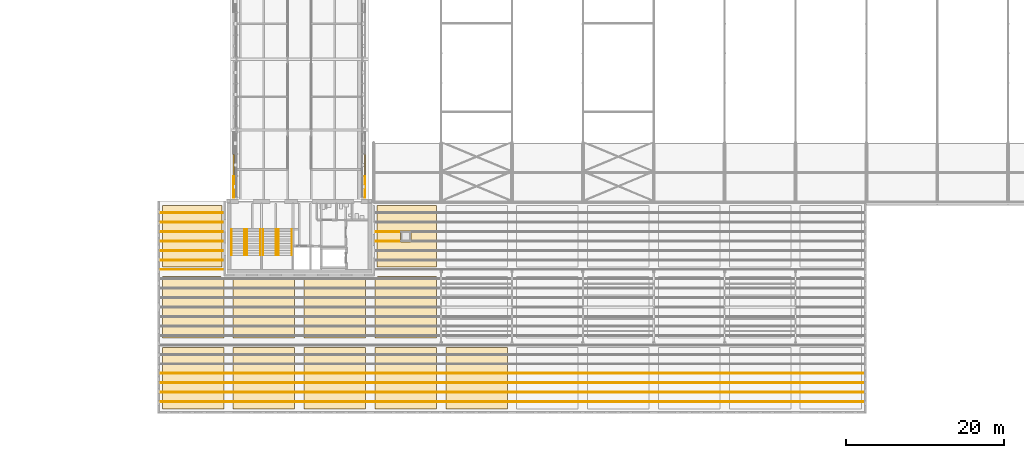
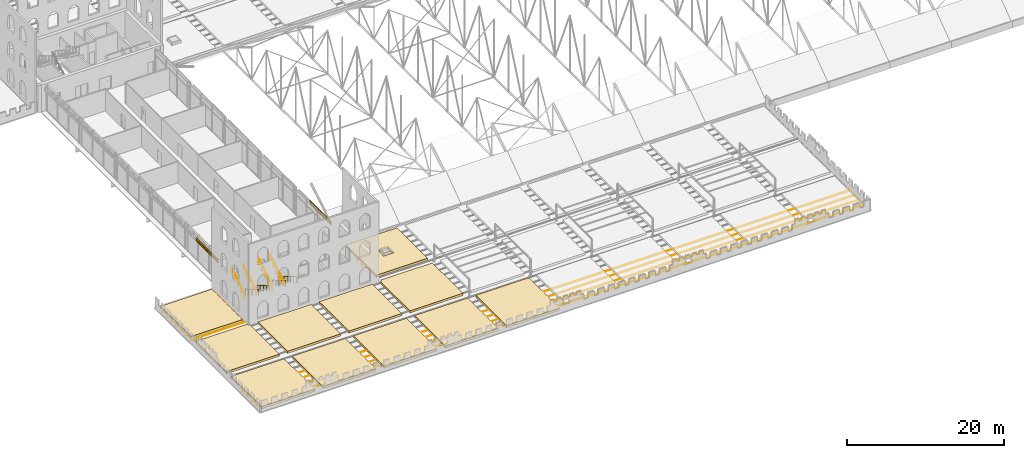
# One storey, part 137 of 153: 24 coverings, 8 railings, 4 shading devices.
"""IFC4 building model written with IfcOpenShell, lengths in metres."""

from ifc_helpers import new_model, si_unit, direction, frame, origin, origin_2d, place, context, subcontext, project, spatial, polyline, circle, outline, extrude, material, layer, layer_set, type_object, element, save


model = new_model("IFC4")

# Units and contexts
model_context = context("Model", 3, precision=1e-05, world=origin(), true_north=direction((0.0, 1.0)))
body_context = subcontext(model_context, "Body", "Model", "MODEL_VIEW")
ifc_project = project(units=[si_unit("LENGTHUNIT", "METRE"), si_unit("AREAUNIT", "SQUARE_METRE"), si_unit("VOLUMEUNIT", "CUBIC_METRE"), si_unit("PLANEANGLEUNIT", "RADIAN"), si_unit("MASSUNIT", "GRAM", prefix="KILO")], contexts=[model_context])

# Site, building, storey
site_placement = place(None, origin())
site = spatial("IfcSite", under=ifc_project, at=site_placement, CompositionType="ELEMENT")
building_placement = place(site_placement, origin())
building = spatial("IfcBuilding", under=site, at=building_placement, Name="Baradari Gate Terminus", CompositionType="ELEMENT")
storey_placement = place(building_placement, frame((0.0, 0.0, 11.699951171875)))
storey = spatial("IfcBuildingStorey", under=building, at=storey_placement, Name="L02", CompositionType="ELEMENT", Elevation=11.699951171875)

# Railings
ifc_material_1 = material(Name="Stainless steel 1.4301", Category="steel")
railing_type = type_object("IfcRailingType", Name="Handrail HR-1 900", PredefinedType="HANDRAIL", material=ifc_material_1)
for number, where, name in (
    (1, (76.0400390625, 32.39990234375, 0.175048828125), "Handrail ST-GS1 L02 flight 1"),
    (2, (74.360107421875, 32.39990234375, 0.175048828125), "Handrail ST-GS1 L02 flight 1"),
):
    element("IfcRailing", number, at=place(storey_placement, frame(where)), inside=storey, type_object=railing_type, Name=name, PredefinedType="HANDRAIL", context=body_context, shape_type="SweptSolid", body=[
        extrude(circle(Radius=0.02392578125, at=origin_2d()), frame((0.0, 0.0, 0.8759765625), z_axis=(0.0, -0.863760357493, 0.503902812876), x_axis=(1.0, 0.0, 0.0)), (0.0, 0.0, 1.0), 3.8203125),
        extrude(circle(Radius=0.02099609375, at=origin_2d()), origin(), (0.0, 0.0, 1.0), 0.851806640625),
        extrude(circle(Radius=0.02099609375, at=origin_2d()), frame((0.0, -0.824951171875, 0.481201171875)), (0.0, 0.0, 1.0), 0.851806640625),
        extrude(circle(Radius=0.02099609375, at=origin_2d()), frame((0.0, -1.64990234375, 0.96240234375)), (0.0, 0.0, 1.0), 0.851806640625),
        extrude(circle(Radius=0.02099609375, at=origin_2d()), frame((0.0, -2.474853515625, 1.44384765625)), (0.0, 0.0, 1.0), 0.851806640625),
        extrude(circle(Radius=0.02099609375, at=origin_2d()), frame((0.0, -3.2998046875, 1.925048828125)), (0.0, 0.0, 1.0), 0.851806640625),
    ])
for number, where, name in (
    (3, (74.0400390625, 29.10009765625, 2.275146484375), "Handrail ST-GS1 L02 flight 2"),
    (4, (72.360107421875, 29.10009765625, 2.275146484375), "Handrail ST-GS1 L02 flight 2"),
):
    element("IfcRailing", number, at=place(storey_placement, frame(where)), inside=storey, type_object=railing_type, Name=name, PredefinedType="HANDRAIL", context=body_context, shape_type="SweptSolid", body=[
        extrude(circle(Radius=0.02392578125, at=origin_2d()), frame((0.0, 0.0, 0.8759765625), z_axis=(0.0, 0.863788172461, 0.503855131081), x_axis=(-1.0, 0.0, 0.0)), (0.0, 0.0, 1.0), 3.820068359375),
        extrude(circle(Radius=0.02099609375, at=origin_2d()), origin(), (0.0, 0.0, 1.0), 0.851806640625),
        extrude(circle(Radius=0.02099609375, at=origin_2d()), frame((0.0, 0.824951171875, 0.481201171875)), (0.0, 0.0, 1.0), 0.851806640625),
        extrude(circle(Radius=0.02099609375, at=origin_2d()), frame((0.0, 1.64990234375, 0.96240234375)), (0.0, 0.0, 1.0), 0.851806640625),
        extrude(circle(Radius=0.02099609375, at=origin_2d()), frame((0.0, 2.474853515625, 1.443603515625)), (0.0, 0.0, 1.0), 0.851806640625),
        extrude(circle(Radius=0.02099609375, at=origin_2d()), frame((0.0, 3.2998046875, 1.9248046875)), (0.0, 0.0, 1.0), 0.851806640625),
    ])
for number, where, name in (
    (5, (80.0400390625, 32.39990234375, 0.175048828125), "Handrail ST-GS2 L02 flight 1"),
    (6, (78.360107421875, 32.39990234375, 0.175048828125), "Handrail ST-GS2 L02 flight 1"),
):
    element("IfcRailing", number, at=place(storey_placement, frame(where)), inside=storey, type_object=railing_type, Name=name, PredefinedType="HANDRAIL", context=body_context, shape_type="SweptSolid", body=[
        extrude(circle(Radius=0.02392578125, at=origin_2d()), frame((0.0, 0.0, 0.8759765625), z_axis=(0.0, -0.863760357493, 0.503902812876), x_axis=(1.0, 0.0, 0.0)), (0.0, 0.0, 1.0), 3.8203125),
        extrude(circle(Radius=0.02099609375, at=origin_2d()), origin(), (0.0, 0.0, 1.0), 0.851806640625),
        extrude(circle(Radius=0.02099609375, at=origin_2d()), frame((0.0, -0.824951171875, 0.481201171875)), (0.0, 0.0, 1.0), 0.851806640625),
        extrude(circle(Radius=0.02099609375, at=origin_2d()), frame((0.0, -1.64990234375, 0.96240234375)), (0.0, 0.0, 1.0), 0.851806640625),
        extrude(circle(Radius=0.02099609375, at=origin_2d()), frame((0.0, -2.474853515625, 1.44384765625)), (0.0, 0.0, 1.0), 0.851806640625),
        extrude(circle(Radius=0.02099609375, at=origin_2d()), frame((0.0, -3.2998046875, 1.925048828125)), (0.0, 0.0, 1.0), 0.851806640625),
    ])
for number, where, name in (
    (7, (78.0400390625, 29.10009765625, 2.275146484375), "Handrail ST-GS2 L02 flight 2"),
    (8, (76.360107421875, 29.10009765625, 2.275146484375), "Handrail ST-GS2 L02 flight 2"),
):
    element("IfcRailing", number, at=place(storey_placement, frame(where)), inside=storey, type_object=railing_type, Name=name, PredefinedType="HANDRAIL", context=body_context, shape_type="SweptSolid", body=[
        extrude(circle(Radius=0.02392578125, at=origin_2d()), frame((0.0, 0.0, 0.8759765625), z_axis=(0.0, 0.863788172461, 0.503855131081), x_axis=(-1.0, 0.0, 0.0)), (0.0, 0.0, 1.0), 3.820068359375),
        extrude(circle(Radius=0.02099609375, at=origin_2d()), origin(), (0.0, 0.0, 1.0), 0.851806640625),
        extrude(circle(Radius=0.02099609375, at=origin_2d()), frame((0.0, 0.824951171875, 0.481201171875)), (0.0, 0.0, 1.0), 0.851806640625),
        extrude(circle(Radius=0.02099609375, at=origin_2d()), frame((0.0, 1.64990234375, 0.96240234375)), (0.0, 0.0, 1.0), 0.851806640625),
        extrude(circle(Radius=0.02099609375, at=origin_2d()), frame((0.0, 2.474853515625, 1.443603515625)), (0.0, 0.0, 1.0), 0.851806640625),
        extrude(circle(Radius=0.02099609375, at=origin_2d()), frame((0.0, 3.2998046875, 1.9248046875)), (0.0, 0.0, 1.0), 0.851806640625),
    ])

# Shading devices
ifc_material_2 = material(Name="Concrete C50/60 precast", Category="concrete")
ifc_layer_1 = layer(ifc_material_2, 0.080078125)
ifc_layer_set_1 = layer_set([ifc_layer_1], Name="Concrete C50/60 precast")
shading_device_type = type_object("IfcShadingDeviceType", Name="Jali screen panel JS-3 80", PredefinedType="SHUTTER", material=ifc_layer_set_1)
shading_device_1_placement = place(storey_placement, frame((72.659912109375, 36.43994140625, 3.280029296875), z_axis=(0.0, 0.0, 1.0), x_axis=(0.0, 1.0, 0.0)))
element("IfcShadingDevice", 9, at=shading_device_1_placement, inside=storey, type_object=shading_device_type, Name="Jali screen panel JS-1 L02/GW1 bay 1", PredefinedType="SHUTTER", context=body_context, shape_type="SweptSolid", body=[
    extrude(outline(polyline([(0.0, 0.0), (2.723388671875, 0.0), (2.723388671875, 0.60009765625), (0.0, 0.60009765625), (0.0, 0.0)]), holes=[polyline([(0.35693359375, 0.300048828125), (0.2919921875, 0.1875), (0.161865234375, 0.1875), (0.096923828125, 0.300048828125), (0.161865234375, 0.41259765625), (0.2919921875, 0.41259765625), (0.35693359375, 0.300048828125)]), polyline([(0.810791015625, 0.300048828125), (0.745849609375, 0.1875), (0.61572265625, 0.1875), (0.55078125, 0.300048828125), (0.61572265625, 0.41259765625), (0.745849609375, 0.41259765625), (0.810791015625, 0.300048828125)]), polyline([(1.2646484375, 0.300048828125), (1.19970703125, 0.1875), (1.06982421875, 0.1875), (1.004638671875, 0.300048828125), (1.06982421875, 0.41259765625), (1.19970703125, 0.41259765625), (1.2646484375, 0.300048828125)]), polyline([(1.718505859375, 0.300048828125), (1.653564453125, 0.1875), (1.523681640625, 0.1875), (1.45849609375, 0.300048828125), (1.523681640625, 0.41259765625), (1.653564453125, 0.41259765625), (1.718505859375, 0.300048828125)]), polyline([(2.172607421875, 0.300048828125), (2.107421875, 0.1875), (1.9775390625, 0.1875), (1.91259765625, 0.300048828125), (1.9775390625, 0.41259765625), (2.107421875, 0.41259765625), (2.172607421875, 0.300048828125)]), polyline([(2.62646484375, 0.300048828125), (2.561279296875, 0.1875), (2.431396484375, 0.1875), (2.366455078125, 0.300048828125), (2.431396484375, 0.41259765625), (2.561279296875, 0.41259765625), (2.62646484375, 0.300048828125)])]), frame((0.0, 0.0400390625, 0.0), z_axis=(0.0, -1.0, 0.0), x_axis=(1.0, 0.0, 0.0)), (0.0, 0.0, 1.0), 0.080078125),
])
shading_device_2_placement = place(storey_placement, frame((72.659912109375, 39.203369140625, 3.280029296875), z_axis=(0.0, 0.0, 1.0), x_axis=(0.0, 1.0, 0.0)))
element("IfcShadingDevice", 10, at=shading_device_2_placement, inside=storey, type_object=shading_device_type, Name="Jali screen panel JS-1 L02/GW1 bay 2", PredefinedType="SHUTTER", context=body_context, shape_type="SweptSolid", body=[
    extrude(outline(polyline([(0.0, 0.0), (2.743408203125, 0.0), (2.743408203125, 0.60009765625), (0.0, 0.60009765625), (0.0, 0.0)]), holes=[polyline([(0.325927734375, 0.300048828125), (0.260986328125, 0.1875), (0.130859375, 0.1875), (0.06591796875, 0.300048828125), (0.130859375, 0.41259765625), (0.260986328125, 0.41259765625), (0.325927734375, 0.300048828125)]), polyline([(0.7177734375, 0.300048828125), (0.65283203125, 0.1875), (0.52294921875, 0.1875), (0.457763671875, 0.300048828125), (0.52294921875, 0.41259765625), (0.65283203125, 0.41259765625), (0.7177734375, 0.300048828125)]), polyline([(1.10986328125, 0.300048828125), (1.044677734375, 0.1875), (0.914794921875, 0.1875), (0.849853515625, 0.300048828125), (0.914794921875, 0.41259765625), (1.044677734375, 0.41259765625), (1.10986328125, 0.300048828125)]), polyline([(1.501708984375, 0.300048828125), (1.436767578125, 0.1875), (1.306640625, 0.1875), (1.24169921875, 0.300048828125), (1.306640625, 0.41259765625), (1.436767578125, 0.41259765625), (1.501708984375, 0.300048828125)]), polyline([(1.8935546875, 0.300048828125), (1.82861328125, 0.1875), (1.698486328125, 0.1875), (1.633544921875, 0.300048828125), (1.698486328125, 0.41259765625), (1.82861328125, 0.41259765625), (1.8935546875, 0.300048828125)]), polyline([(2.285400390625, 0.300048828125), (2.220458984375, 0.1875), (2.090576171875, 0.1875), (2.025390625, 0.300048828125), (2.090576171875, 0.41259765625), (2.220458984375, 0.41259765625), (2.285400390625, 0.300048828125)]), polyline([(2.677490234375, 0.300048828125), (2.6123046875, 0.1875), (2.482421875, 0.1875), (2.41748046875, 0.300048828125), (2.482421875, 0.41259765625), (2.6123046875, 0.41259765625), (2.677490234375, 0.300048828125)])]), frame((0.0, 0.0400390625, 0.0), z_axis=(0.0, -1.0, 0.0), x_axis=(1.0, 0.0, 0.0)), (0.0, 0.0, 1.0), 0.080078125),
])
shading_device_3_placement = place(storey_placement, frame((89.340087890625, 36.43994140625, 3.280029296875), z_axis=(0.0, 0.0, 1.0), x_axis=(0.0, 1.0, 0.0)))
element("IfcShadingDevice", 11, at=shading_device_3_placement, inside=storey, type_object=shading_device_type, Name="Jali screen panel JS-1 L02/GE1 bay 1", PredefinedType="SHUTTER", context=body_context, shape_type="SweptSolid", body=[
    extrude(outline(polyline([(0.0, 0.0), (2.723388671875, 0.0), (2.723388671875, 0.60009765625), (0.0, 0.60009765625), (0.0, 0.0)]), holes=[polyline([(0.35693359375, 0.300048828125), (0.2919921875, 0.1875), (0.161865234375, 0.1875), (0.096923828125, 0.300048828125), (0.161865234375, 0.41259765625), (0.2919921875, 0.41259765625), (0.35693359375, 0.300048828125)]), polyline([(0.810791015625, 0.300048828125), (0.745849609375, 0.1875), (0.61572265625, 0.1875), (0.55078125, 0.300048828125), (0.61572265625, 0.41259765625), (0.745849609375, 0.41259765625), (0.810791015625, 0.300048828125)]), polyline([(1.2646484375, 0.300048828125), (1.19970703125, 0.1875), (1.06982421875, 0.1875), (1.004638671875, 0.300048828125), (1.06982421875, 0.41259765625), (1.19970703125, 0.41259765625), (1.2646484375, 0.300048828125)]), polyline([(1.718505859375, 0.300048828125), (1.653564453125, 0.1875), (1.523681640625, 0.1875), (1.45849609375, 0.300048828125), (1.523681640625, 0.41259765625), (1.653564453125, 0.41259765625), (1.718505859375, 0.300048828125)]), polyline([(2.172607421875, 0.300048828125), (2.107421875, 0.1875), (1.9775390625, 0.1875), (1.91259765625, 0.300048828125), (1.9775390625, 0.41259765625), (2.107421875, 0.41259765625), (2.172607421875, 0.300048828125)]), polyline([(2.62646484375, 0.300048828125), (2.561279296875, 0.1875), (2.431396484375, 0.1875), (2.366455078125, 0.300048828125), (2.431396484375, 0.41259765625), (2.561279296875, 0.41259765625), (2.62646484375, 0.300048828125)])]), frame((0.0, 0.0400390625, 0.0), z_axis=(0.0, -1.0, 0.0), x_axis=(1.0, 0.0, 0.0)), (0.0, 0.0, 1.0), 0.080078125),
])
shading_device_4_placement = place(storey_placement, frame((89.340087890625, 39.203369140625, 3.280029296875), z_axis=(0.0, 0.0, 1.0), x_axis=(0.0, 1.0, 0.0)))
element("IfcShadingDevice", 12, at=shading_device_4_placement, inside=storey, type_object=shading_device_type, Name="Jali screen panel JS-1 L02/GE1 bay 2", PredefinedType="SHUTTER", context=body_context, shape_type="SweptSolid", body=[
    extrude(outline(polyline([(0.0, 0.0), (2.743408203125, 0.0), (2.743408203125, 0.60009765625), (0.0, 0.60009765625), (0.0, 0.0)]), holes=[polyline([(0.325927734375, 0.300048828125), (0.260986328125, 0.1875), (0.130859375, 0.1875), (0.06591796875, 0.300048828125), (0.130859375, 0.41259765625), (0.260986328125, 0.41259765625), (0.325927734375, 0.300048828125)]), polyline([(0.7177734375, 0.300048828125), (0.65283203125, 0.1875), (0.52294921875, 0.1875), (0.457763671875, 0.300048828125), (0.52294921875, 0.41259765625), (0.65283203125, 0.41259765625), (0.7177734375, 0.300048828125)]), polyline([(1.10986328125, 0.300048828125), (1.044677734375, 0.1875), (0.914794921875, 0.1875), (0.849853515625, 0.300048828125), (0.914794921875, 0.41259765625), (1.044677734375, 0.41259765625), (1.10986328125, 0.300048828125)]), polyline([(1.501708984375, 0.300048828125), (1.436767578125, 0.1875), (1.306640625, 0.1875), (1.24169921875, 0.300048828125), (1.306640625, 0.41259765625), (1.436767578125, 0.41259765625), (1.501708984375, 0.300048828125)]), polyline([(1.8935546875, 0.300048828125), (1.82861328125, 0.1875), (1.698486328125, 0.1875), (1.633544921875, 0.300048828125), (1.698486328125, 0.41259765625), (1.82861328125, 0.41259765625), (1.8935546875, 0.300048828125)]), polyline([(2.285400390625, 0.300048828125), (2.220458984375, 0.1875), (2.090576171875, 0.1875), (2.025390625, 0.300048828125), (2.090576171875, 0.41259765625), (2.220458984375, 0.41259765625), (2.285400390625, 0.300048828125)]), polyline([(2.677490234375, 0.300048828125), (2.6123046875, 0.1875), (2.482421875, 0.1875), (2.41748046875, 0.300048828125), (2.482421875, 0.41259765625), (2.6123046875, 0.41259765625), (2.677490234375, 0.300048828125)])]), frame((0.0, 0.0400390625, 0.0), z_axis=(0.0, -1.0, 0.0), x_axis=(1.0, 0.0, 0.0)), (0.0, 0.0, 1.0), 0.080078125),
])

# Coverings
ifc_material_3 = material(Name="Planted substrate")
ifc_layer_2 = layer(ifc_material_3, 0.35009765625)
ifc_layer_set_2 = layer_set([ifc_layer_2], Name="Planted substrate")
covering_type_1 = type_object("IfcCoveringType", Name="Planted roof bed GR-1 350", PredefinedType="USERDEFINED", material=ifc_layer_set_2)
covering_1_placement = place(storey_placement, origin())
element("IfcCovering", 13, at=covering_1_placement, inside=storey, type_object=covering_type_1, Name="RF/L02/GRS0101-1", ObjectType="PLANTED BED", PredefinedType="USERDEFINED", context=body_context, shape_type="SweptSolid", body=[
    extrude(outline(polyline([(63.60009765625, 17.39990234375), (71.39990234375, 17.39990234375), (71.39990234375, 9.60009765625), (63.60009765625, 9.60009765625), (63.60009765625, 17.39990234375)])), origin(), (0.0, 0.0, 1.0), 0.35009765625),
])
covering_2_placement = place(storey_placement, origin())
element("IfcCovering", 14, at=covering_2_placement, inside=storey, type_object=covering_type_1, Name="RF/L02/GRS0102-1", ObjectType="PLANTED BED", PredefinedType="USERDEFINED", context=body_context, shape_type="SweptSolid", body=[
    extrude(outline(polyline([(63.60009765625, 26.39990234375), (71.06298828125, 26.39990234375), (71.063232421875, 26.39892578125), (71.068603515625, 26.3876953125), (71.08251953125, 26.36181640625), (71.088623046875, 26.351318359375), (71.10498046875, 26.326904296875), (71.1123046875, 26.31689453125), (71.131103515625, 26.294189453125), (71.139404296875, 26.28515625), (71.16015625, 26.264404296875), (71.169189453125, 26.256103515625), (71.19189453125, 26.2373046875), (71.201904296875, 26.22998046875), (71.226318359375, 26.213623046875), (71.23681640625, 26.20751953125), (71.2626953125, 26.193603515625), (71.27392578125, 26.188232421875), (71.301025390625, 26.177001953125), (71.3125, 26.1728515625), (71.3408203125, 26.164306640625), (71.352783203125, 26.161376953125), (71.381591796875, 26.155517578125), (71.393798828125, 26.15380859375), (71.39990234375, 26.1533203125), (71.39990234375, 18.60009765625), (63.60009765625, 18.60009765625), (63.60009765625, 26.39990234375)])), origin(), (0.0, 0.0, 1.0), 0.35009765625),
])
covering_3_placement = place(storey_placement, origin())
element("IfcCovering", 15, at=covering_3_placement, inside=storey, type_object=covering_type_1, Name="RF/L02/GRS0103-1", ObjectType="PLANTED BED", PredefinedType="USERDEFINED", context=body_context, shape_type="SweptSolid", body=[
    extrude(outline(polyline([(63.60009765625, 35.39990234375), (71.14990234375, 35.39990234375), (71.14990234375, 27.60009765625), (63.60009765625, 27.60009765625), (63.60009765625, 35.39990234375)])), origin(), (0.0, 0.0, 1.0), 0.35009765625),
])
covering_4_placement = place(storey_placement, origin())
element("IfcCovering", 16, at=covering_4_placement, inside=storey, type_object=covering_type_1, Name="RF/L02/GRS0201-1", ObjectType="PLANTED BED", PredefinedType="USERDEFINED", context=body_context, shape_type="SweptSolid", body=[
    extrude(outline(polyline([(72.60009765625, 17.39990234375), (80.39990234375, 17.39990234375), (80.39990234375, 9.60009765625), (72.60009765625, 9.60009765625), (72.60009765625, 17.39990234375)])), origin(), (0.0, 0.0, 1.0), 0.35009765625),
])
covering_5_placement = place(storey_placement, origin())
element("IfcCovering", 17, at=covering_5_placement, inside=storey, type_object=covering_type_1, Name="RF/L02/GRS0202-1", ObjectType="PLANTED BED", PredefinedType="USERDEFINED", context=body_context, shape_type="SweptSolid", body=[
    extrude(outline(polyline([(72.60009765625, 18.60009765625), (72.60009765625, 26.14990234375), (80.39990234375, 26.14990234375), (80.39990234375, 18.60009765625), (72.60009765625, 18.60009765625)])), origin(), (0.0, 0.0, 1.0), 0.35009765625),
])
covering_6_placement = place(storey_placement, origin())
element("IfcCovering", 18, at=covering_6_placement, inside=storey, type_object=covering_type_1, Name="RF/L02/GRS0301-1", ObjectType="PLANTED BED", PredefinedType="USERDEFINED", context=body_context, shape_type="SweptSolid", body=[
    extrude(outline(polyline([(81.60009765625, 17.39990234375), (89.39990234375, 17.39990234375), (89.39990234375, 9.60009765625), (81.60009765625, 9.60009765625), (81.60009765625, 17.39990234375)])), origin(), (0.0, 0.0, 1.0), 0.35009765625),
])
covering_7_placement = place(storey_placement, origin())
element("IfcCovering", 19, at=covering_7_placement, inside=storey, type_object=covering_type_1, Name="RF/L02/GRS0302-1", ObjectType="PLANTED BED", PredefinedType="USERDEFINED", context=body_context, shape_type="SweptSolid", body=[
    extrude(outline(polyline([(81.60009765625, 18.60009765625), (81.60009765625, 26.14990234375), (89.39990234375, 26.14990234375), (89.39990234375, 18.60009765625), (81.60009765625, 18.60009765625)])), origin(), (0.0, 0.0, 1.0), 0.35009765625),
])
covering_8_placement = place(storey_placement, origin())
element("IfcCovering", 20, at=covering_8_placement, inside=storey, type_object=covering_type_1, Name="RF/L02/GRS0401-1", ObjectType="PLANTED BED", PredefinedType="USERDEFINED", context=body_context, shape_type="SweptSolid", body=[
    extrude(outline(polyline([(90.60009765625, 17.39990234375), (98.39990234375, 17.39990234375), (98.39990234375, 9.60009765625), (90.60009765625, 9.60009765625), (90.60009765625, 17.39990234375)])), origin(), (0.0, 0.0, 1.0), 0.35009765625),
])
covering_9_placement = place(storey_placement, origin())
element("IfcCovering", 21, at=covering_9_placement, inside=storey, type_object=covering_type_1, Name="RF/L02/GRS0402-1", ObjectType="PLANTED BED", PredefinedType="USERDEFINED", context=body_context, shape_type="SweptSolid", body=[
    extrude(outline(polyline([(90.60009765625, 26.1533203125), (90.606201171875, 26.15380859375), (90.618408203125, 26.155517578125), (90.647216796875, 26.161376953125), (90.6591796875, 26.164306640625), (90.6875, 26.1728515625), (90.698974609375, 26.177001953125), (90.72607421875, 26.188232421875), (90.7373046875, 26.193603515625), (90.76318359375, 26.20751953125), (90.773681640625, 26.213623046875), (90.798095703125, 26.22998046875), (90.80810546875, 26.2373046875), (90.830810546875, 26.256103515625), (90.83984375, 26.264404296875), (90.860595703125, 26.28515625), (90.868896484375, 26.294189453125), (90.8876953125, 26.31689453125), (90.89501953125, 26.326904296875), (90.911376953125, 26.351318359375), (90.91748046875, 26.36181640625), (90.931396484375, 26.3876953125), (90.936767578125, 26.39892578125), (90.93701171875, 26.39990234375), (98.39990234375, 26.39990234375), (98.39990234375, 18.60009765625), (90.60009765625, 18.60009765625), (90.60009765625, 26.1533203125)])), origin(), (0.0, 0.0, 1.0), 0.35009765625),
])
covering_10_placement = place(storey_placement, origin())
element("IfcCovering", 22, at=covering_10_placement, inside=storey, type_object=covering_type_1, Name="RF/L02/GRS0403-1", ObjectType="PLANTED BED", PredefinedType="USERDEFINED", context=body_context, shape_type="SweptSolid", body=[
    extrude(outline(polyline([(98.39990234375, 27.60009765625), (90.85009765625, 27.60009765625), (90.85009765625, 35.39990234375), (98.39990234375, 35.39990234375), (98.39990234375, 27.60009765625)]), holes=[polyline([(95.231201171875, 30.99169921875), (95.224365234375, 30.999267578125), (95.216552734375, 31.006103515625), (95.20849609375, 31.01220703125), (95.199462890625, 31.017578125), (95.190185546875, 31.02197265625), (95.180419921875, 31.025390625), (95.179931640625, 31.025634765625), (95.179931640625, 31.974365234375), (95.180419921875, 31.974609375), (95.190185546875, 31.97802734375), (95.199462890625, 31.982421875), (95.20849609375, 31.98779296875), (95.216552734375, 31.993896484375), (95.224365234375, 32.000732421875), (95.231201171875, 32.00830078125), (95.2373046875, 32.0166015625), (95.24267578125, 32.025390625), (95.2470703125, 32.034912109375), (95.25048828125, 32.04443359375), (95.2529296875, 32.054443359375), (95.25439453125, 32.064697265625), (95.2548828125, 32.074951171875), (95.25439453125, 32.085205078125), (95.2529296875, 32.095458984375), (95.25048828125, 32.10546875), (95.2470703125, 32.115234375), (95.24267578125, 32.12451171875), (95.2373046875, 32.13330078125), (95.231201171875, 32.1416015625), (95.224365234375, 32.1494140625), (95.216552734375, 32.15625), (95.20849609375, 32.162353515625), (95.199462890625, 32.16748046875), (95.190185546875, 32.172119140625), (95.180419921875, 32.175537109375), (95.17041015625, 32.177978515625), (95.160400390625, 32.179443359375), (95.150634765625, 32.179931640625), (93.849365234375, 32.179931640625), (93.839599609375, 32.179443359375), (93.82958984375, 32.177978515625), (93.819580078125, 32.175537109375), (93.809814453125, 32.172119140625), (93.800537109375, 32.16748046875), (93.79150390625, 32.162353515625), (93.783447265625, 32.15625), (93.775634765625, 32.1494140625), (93.768798828125, 32.1416015625), (93.7626953125, 32.13330078125), (93.75732421875, 32.12451171875), (93.7529296875, 32.115234375), (93.74951171875, 32.10546875), (93.7470703125, 32.095458984375), (93.74560546875, 32.085205078125), (93.7451171875, 32.074951171875), (93.74560546875, 32.064697265625), (93.7470703125, 32.054443359375), (93.74951171875, 32.04443359375), (93.7529296875, 32.034912109375), (93.75732421875, 32.025390625), (93.7626953125, 32.0166015625), (93.768798828125, 32.00830078125), (93.775634765625, 32.000732421875), (93.783447265625, 31.993896484375), (93.79150390625, 31.98779296875), (93.800537109375, 31.982421875), (93.809814453125, 31.97802734375), (93.819580078125, 31.974609375), (93.820068359375, 31.974365234375), (93.820068359375, 31.025634765625), (93.819580078125, 31.025390625), (93.809814453125, 31.02197265625), (93.800537109375, 31.017578125), (93.79150390625, 31.01220703125), (93.783447265625, 31.006103515625), (93.775634765625, 30.999267578125), (93.768798828125, 30.99169921875), (93.7626953125, 30.9833984375), (93.75732421875, 30.974609375), (93.7529296875, 30.965087890625), (93.74951171875, 30.95556640625), (93.7470703125, 30.945556640625), (93.74560546875, 30.935302734375), (93.7451171875, 30.925048828125), (93.74560546875, 30.914794921875), (93.7470703125, 30.904541015625), (93.74951171875, 30.89453125), (93.7529296875, 30.884765625), (93.75732421875, 30.87548828125), (93.7626953125, 30.86669921875), (93.768798828125, 30.8583984375), (93.775634765625, 30.8505859375), (93.783447265625, 30.84375), (93.79150390625, 30.837646484375), (93.800537109375, 30.83251953125), (93.809814453125, 30.827880859375), (93.819580078125, 30.824462890625), (93.82958984375, 30.822021484375), (93.839599609375, 30.820556640625), (93.849365234375, 30.820068359375), (95.150634765625, 30.820068359375), (95.160400390625, 30.820556640625), (95.17041015625, 30.822021484375), (95.180419921875, 30.824462890625), (95.190185546875, 30.827880859375), (95.199462890625, 30.83251953125), (95.20849609375, 30.837646484375), (95.216552734375, 30.84375), (95.224365234375, 30.8505859375), (95.231201171875, 30.8583984375), (95.2373046875, 30.86669921875), (95.24267578125, 30.87548828125), (95.2470703125, 30.884765625), (95.25048828125, 30.89453125), (95.2529296875, 30.904541015625), (95.25439453125, 30.914794921875), (95.2548828125, 30.925048828125), (95.25439453125, 30.935302734375), (95.2529296875, 30.945556640625), (95.25048828125, 30.95556640625), (95.2470703125, 30.965087890625), (95.24267578125, 30.974609375), (95.2373046875, 30.9833984375), (95.231201171875, 30.99169921875)])]), origin(), (0.0, 0.0, 1.0), 0.35009765625),
])
covering_11_placement = place(storey_placement, origin())
element("IfcCovering", 23, at=covering_11_placement, inside=storey, type_object=covering_type_1, Name="RF/L02/GRS0501-1", ObjectType="PLANTED BED", PredefinedType="USERDEFINED", context=body_context, shape_type="SweptSolid", body=[
    extrude(outline(polyline([(99.60009765625, 17.39990234375), (107.39990234375, 17.39990234375), (107.39990234375, 9.60009765625), (99.60009765625, 9.60009765625), (99.60009765625, 17.39990234375)])), origin(), (0.0, 0.0, 1.0), 0.35009765625),
])
ifc_material_4 = material(Name="Terracotta paving", Category="masonry")
ifc_layer_3 = layer(ifc_material_4, 0.050048828125)
ifc_layer_set_3 = layer_set([ifc_layer_3], Name="Terracotta paving")
covering_type_2 = type_object("IfcCoveringType", Name="Terracotta tile course RP-2 50", PredefinedType="FLOORING", material=ifc_layer_set_3)
covering_12_placement = place(storey_placement, frame((0.0, 0.0, 0.030029296875)))
element("IfcCovering", 24, at=covering_12_placement, inside=storey, type_object=covering_type_2, Name="Terracotta tile course RP-2 south-roof", PredefinedType="FLOORING", context=body_context, shape_type="SweptSolid", body=[
    extrude(outline(polyline([(152.625, 10.43994140625), (152.625, 10.56005859375), (63.375, 10.56005859375), (63.375, 10.43994140625), (152.625, 10.43994140625)])), origin(), (0.0, 0.0, 1.0), 0.050048828125),
])
covering_13_placement = place(storey_placement, frame((0.0, 0.0, 0.030029296875)))
element("IfcCovering", 25, at=covering_13_placement, inside=storey, type_object=covering_type_2, Name="Terracotta tile course RP-2 south-roof", PredefinedType="FLOORING", context=body_context, shape_type="SweptSolid", body=[
    extrude(outline(polyline([(152.625, 11.639892578125), (152.625, 11.760009765625), (63.375, 11.760009765625), (63.375, 11.639892578125), (152.625, 11.639892578125)])), origin(), (0.0, 0.0, 1.0), 0.050048828125),
])
covering_14_placement = place(storey_placement, frame((0.0, 0.0, 0.030029296875)))
element("IfcCovering", 26, at=covering_14_placement, inside=storey, type_object=covering_type_2, Name="Terracotta tile course RP-2 south-roof", PredefinedType="FLOORING", context=body_context, shape_type="SweptSolid", body=[
    extrude(outline(polyline([(152.625, 12.840087890625), (152.625, 12.9599609375), (63.375, 12.9599609375), (63.375, 12.840087890625), (152.625, 12.840087890625)])), origin(), (0.0, 0.0, 1.0), 0.050048828125),
])
covering_15_placement = place(storey_placement, frame((0.0, 0.0, 0.030029296875)))
element("IfcCovering", 27, at=covering_15_placement, inside=storey, type_object=covering_type_2, Name="Terracotta tile course RP-2 south-roof", PredefinedType="FLOORING", context=body_context, shape_type="SweptSolid", body=[
    extrude(outline(polyline([(152.625, 14.0400390625), (152.625, 14.159912109375), (63.375, 14.159912109375), (63.375, 14.0400390625), (152.625, 14.0400390625)])), origin(), (0.0, 0.0, 1.0), 0.050048828125),
])
covering_16_placement = place(storey_placement, frame((0.0, 0.0, 0.030029296875)))
element("IfcCovering", 28, at=covering_16_placement, inside=storey, type_object=covering_type_2, Name="Terracotta tile course RP-2 south-roof", PredefinedType="FLOORING", context=body_context, shape_type="SweptSolid", body=[
    extrude(outline(polyline([(71.300048828125, 27.239990234375), (71.300048828125, 27.360107421875), (63.375, 27.360107421875), (63.375, 27.239990234375), (71.300048828125, 27.239990234375)])), origin(), (0.0, 0.0, 1.0), 0.050048828125),
])
covering_17_placement = place(storey_placement, frame((0.0, 0.0, 0.030029296875)))
element("IfcCovering", 29, at=covering_17_placement, inside=storey, type_object=covering_type_2, Name="Terracotta tile course RP-2 south-roof", PredefinedType="FLOORING", context=body_context, shape_type="SweptSolid", body=[
    extrude(outline(polyline([(71.300048828125, 28.43994140625), (71.300048828125, 28.56005859375), (63.375, 28.56005859375), (63.375, 28.43994140625), (71.300048828125, 28.43994140625)])), origin(), (0.0, 0.0, 1.0), 0.050048828125),
])
covering_18_placement = place(storey_placement, frame((0.0, 0.0, 0.030029296875)))
element("IfcCovering", 30, at=covering_18_placement, inside=storey, type_object=covering_type_2, Name="Terracotta tile course RP-2 south-roof", PredefinedType="FLOORING", context=body_context, shape_type="SweptSolid", body=[
    extrude(outline(polyline([(71.300048828125, 29.639892578125), (71.300048828125, 29.760009765625), (63.375, 29.760009765625), (63.375, 29.639892578125), (71.300048828125, 29.639892578125)])), origin(), (0.0, 0.0, 1.0), 0.050048828125),
])
covering_19_placement = place(storey_placement, frame((0.0, 0.0, 0.030029296875)))
element("IfcCovering", 31, at=covering_19_placement, inside=storey, type_object=covering_type_2, Name="Terracotta tile course RP-2 south-roof", PredefinedType="FLOORING", context=body_context, shape_type="SweptSolid", body=[
    extrude(outline(polyline([(71.300048828125, 30.840087890625), (71.300048828125, 30.9599609375), (63.375, 30.9599609375), (63.375, 30.840087890625), (71.300048828125, 30.840087890625)])), origin(), (0.0, 0.0, 1.0), 0.050048828125),
])
covering_20_placement = place(storey_placement, frame((0.0, 0.0, 0.030029296875)))
element("IfcCovering", 32, at=covering_20_placement, inside=storey, type_object=covering_type_2, Name="Terracotta tile course RP-2 south-roof", PredefinedType="FLOORING", context=body_context, shape_type="SweptSolid", body=[
    extrude(outline(polyline([(93.700439453125, 30.840087890625), (93.700439453125, 30.9599609375), (90.699951171875, 30.9599609375), (90.699951171875, 30.840087890625), (93.700439453125, 30.840087890625)])), origin(), (0.0, 0.0, 1.0), 0.050048828125),
])
covering_21_placement = place(storey_placement, frame((0.0, 0.0, 0.030029296875)))
element("IfcCovering", 33, at=covering_21_placement, inside=storey, type_object=covering_type_2, Name="Terracotta tile course RP-2 south-roof", PredefinedType="FLOORING", context=body_context, shape_type="SweptSolid", body=[
    extrude(outline(polyline([(71.300048828125, 32.0400390625), (71.300048828125, 32.159912109375), (63.375, 32.159912109375), (63.375, 32.0400390625), (71.300048828125, 32.0400390625)])), origin(), (0.0, 0.0, 1.0), 0.050048828125),
])
covering_22_placement = place(storey_placement, frame((0.0, 0.0, 0.030029296875)))
element("IfcCovering", 34, at=covering_22_placement, inside=storey, type_object=covering_type_2, Name="Terracotta tile course RP-2 south-roof", PredefinedType="FLOORING", context=body_context, shape_type="SweptSolid", body=[
    extrude(outline(polyline([(93.700439453125, 32.0400390625), (93.700439453125, 32.159912109375), (90.699951171875, 32.159912109375), (90.699951171875, 32.0400390625), (93.700439453125, 32.0400390625)])), origin(), (0.0, 0.0, 1.0), 0.050048828125),
])
covering_23_placement = place(storey_placement, frame((0.0, 0.0, 0.030029296875)))
element("IfcCovering", 35, at=covering_23_placement, inside=storey, type_object=covering_type_2, Name="Terracotta tile course RP-2 south-roof", PredefinedType="FLOORING", context=body_context, shape_type="SweptSolid", body=[
    extrude(outline(polyline([(71.300048828125, 33.239990234375), (71.300048828125, 33.360107421875), (63.375, 33.360107421875), (63.375, 33.239990234375), (71.300048828125, 33.239990234375)])), origin(), (0.0, 0.0, 1.0), 0.050048828125),
])
covering_24_placement = place(storey_placement, frame((0.0, 0.0, 0.030029296875)))
element("IfcCovering", 36, at=covering_24_placement, inside=storey, type_object=covering_type_2, Name="Terracotta tile course RP-2 south-roof", PredefinedType="FLOORING", context=body_context, shape_type="SweptSolid", body=[
    extrude(outline(polyline([(71.300048828125, 34.43994140625), (71.300048828125, 34.56005859375), (63.375, 34.56005859375), (63.375, 34.43994140625), (71.300048828125, 34.43994140625)])), origin(), (0.0, 0.0, 1.0), 0.050048828125),
])

save(model, "model.ifc")
